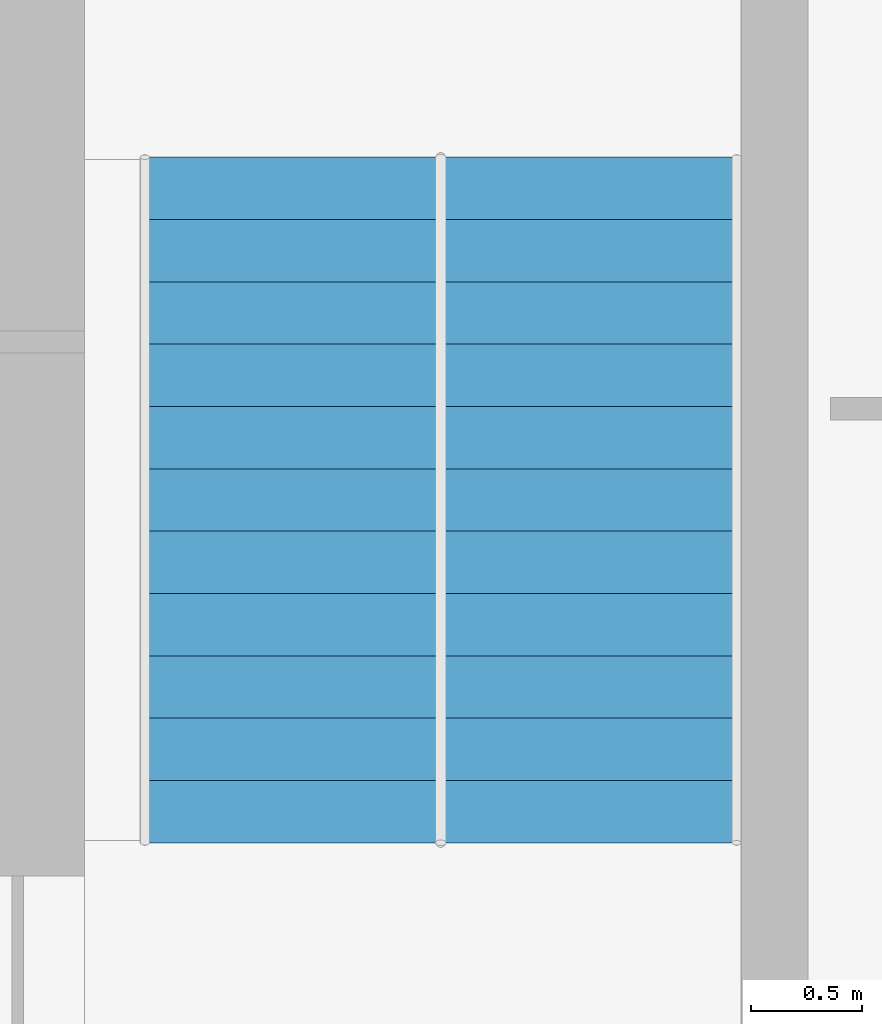
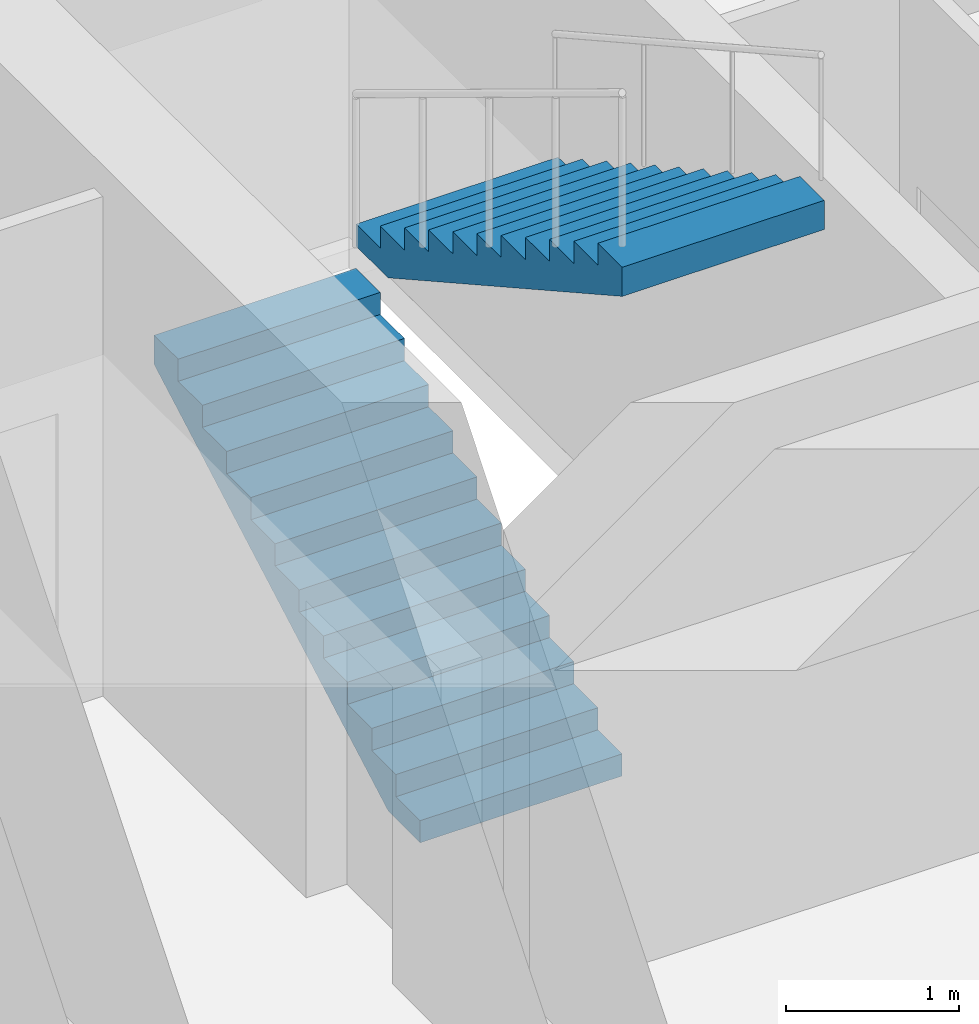
# One storey, part 11 of 12: 2 stair flights, 1 element without a shape of its own.
"""IFC4 building model written with IfcOpenShell, lengths in metres."""

from ifc_helpers import new_model, si_unit, direction, frame, origin, place, context, subcontext, project, spatial, polyline, outline, extrude, material, type_object, element, aggregate, save


model = new_model("IFC4")

# Units and contexts
model_context = context("Model", 3, precision=1e-05, world=origin(), true_north=direction((0.0, 1.0)))
body_context = subcontext(model_context, "Body", "Model", "MODEL_VIEW")
ifc_project = project(units=[si_unit("LENGTHUNIT", "METRE"), si_unit("AREAUNIT", "SQUARE_METRE"), si_unit("VOLUMEUNIT", "CUBIC_METRE"), si_unit("PLANEANGLEUNIT", "RADIAN"), si_unit("MASSUNIT", "GRAM", prefix="KILO")], contexts=[model_context])

# Site, building, storey
site_placement = place(None, origin())
site = spatial("IfcSite", under=ifc_project, at=site_placement, CompositionType="ELEMENT")
building_placement = place(site_placement, origin())
building = spatial("IfcBuilding", under=site, at=building_placement, Name="Impinga Residences", CompositionType="ELEMENT")
storey_placement = place(building_placement, frame((0.0, 0.0, 214.75)))
storey = spatial("IfcBuildingStorey", under=building, at=storey_placement, Name="L53", CompositionType="ELEMENT", Elevation=214.75)

# Stair, stair flights
ifc_material = material(Name="Concrete C40/50", Category="concrete")
stair_type = type_object("IfcStairType", Name="STR wing stair 3750 storey, 24 risers", PredefinedType="HALF_TURN_STAIR", material=ifc_material)
stair_placement = place(storey_placement, origin())
stair = element("IfcStair", 1, at=stair_placement, inside=storey, type_object=stair_type, Name="Stair WS1 L53", PredefinedType="HALF_TURN_STAIR")
stair_flight_type = type_object("IfcStairFlightType", Name="SF 12 risers of 156", PredefinedType="STRAIGHT", material=ifc_material)
stair_flight_1_placement = place(storey_placement, frame((2.425048828125, 22.131591796875, 0.0), z_axis=(0.0, 0.0, 1.0), x_axis=(0.0, 1.0, 0.0)))
stair_flight_1 = element("IfcStairFlight", 2, at=stair_flight_1_placement, type_object=stair_flight_type, Name="WS1 flight 1", NumberOfRisers=12, NumberOfTreads=11, PredefinedType="STRAIGHT", RiserHeight=0.15625, TreadLength=0.28, context=body_context, shape_type="SweptSolid", body=[
    extrude(outline(polyline([(0.0, 0.0), (0.0, 0.15625), (0.280029296875, 0.15625), (0.280029296875, 0.3125), (0.56005859375, 0.3125), (0.56005859375, 0.46875), (0.840087890625, 0.46875), (0.840087890625, 0.625), (1.1201171875, 0.625), (1.1201171875, 0.78125), (1.39990234375, 0.78125), (1.39990234375, 0.9375), (1.679931640625, 0.9375), (1.679931640625, 1.09375), (1.9599609375, 1.09375), (1.9599609375, 1.25), (2.239990234375, 1.25), (2.239990234375, 1.40625), (2.52001953125, 1.40625), (2.52001953125, 1.5625), (2.800048828125, 1.5625), (2.800048828125, 1.71875), (3.080078125, 1.71875), (3.080078125, 1.875), (3.080078125, 1.5126953125), (0.369140625, 0.0), (0.0, 0.0)])), frame((0.0, 0.675048828125, 0.0), z_axis=(0.0, -1.0, 0.0), x_axis=(1.0, 0.0, 0.0)), (0.0, 0.0, 1.0), 1.35009765625),
])
stair_flight_2_placement = place(storey_placement, frame((3.77490234375, 25.21142578125, 1.875), z_axis=(0.0, 0.0, 1.0), x_axis=(0.0, -1.0, 0.0)))
stair_flight_2 = element("IfcStairFlight", 3, at=stair_flight_2_placement, type_object=stair_flight_type, Name="WS1 flight 2", NumberOfRisers=12, NumberOfTreads=11, PredefinedType="STRAIGHT", RiserHeight=0.15625, TreadLength=0.28, context=body_context, shape_type="SweptSolid", body=[
    extrude(outline(polyline([(0.0, 0.0), (0.0, 0.15625), (0.280029296875, 0.15625), (0.280029296875, 0.3125), (0.56005859375, 0.3125), (0.56005859375, 0.46875), (0.840087890625, 0.46875), (0.840087890625, 0.625), (1.1201171875, 0.625), (1.1201171875, 0.78125), (1.39990234375, 0.78125), (1.39990234375, 0.9375), (1.679931640625, 0.9375), (1.679931640625, 1.09375), (1.9599609375, 1.09375), (1.9599609375, 1.25), (2.239990234375, 1.25), (2.239990234375, 1.40625), (2.52001953125, 1.40625), (2.52001953125, 1.5625), (2.800048828125, 1.5625), (2.800048828125, 1.71875), (3.080078125, 1.71875), (3.080078125, 1.875), (3.080078125, 1.5126953125), (0.369140625, 0.0), (0.0, 0.0)])), frame((0.0, 0.675048828125, 0.0), z_axis=(0.0, -1.0, 0.0), x_axis=(1.0, 0.0, 0.0)), (0.0, 0.0, 1.0), 1.35009765625),
])
aggregate(stair, [stair_flight_1, stair_flight_2])

save(model, "model.ifc")
